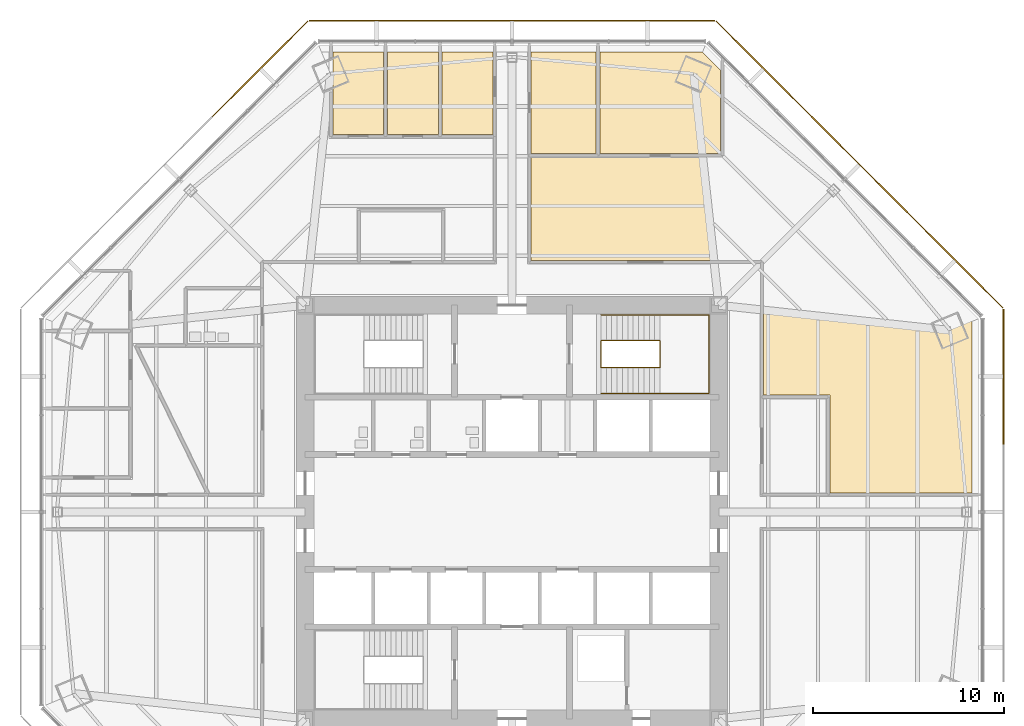
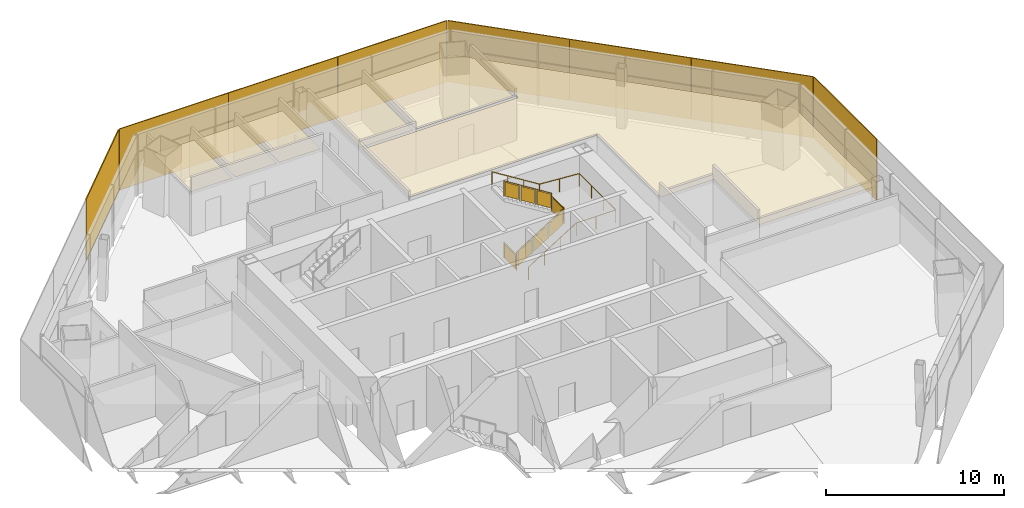
# One storey, part 13 of 14: 8 shading devices, 6 coverings, 2 railings.
"""IFC4 building model written with IfcOpenShell, lengths in metres."""

from ifc_helpers import new_model, si_unit, direction, frame, origin, origin_2d, place, context, subcontext, project, spatial, polyline, rectangle, circle, outline, extrude, source, transform, mapped, material, layer, layer_set, type_object, type_shapes, element, save


model = new_model("IFC4")

# Units and contexts
model_context = context("Model", 3, precision=1e-05, world=origin(), true_north=direction((0.0, 1.0)))
body_context = subcontext(model_context, "Body", "Model", "MODEL_VIEW")
ifc_project = project(units=[si_unit("LENGTHUNIT", "METRE"), si_unit("AREAUNIT", "SQUARE_METRE"), si_unit("VOLUMEUNIT", "CUBIC_METRE"), si_unit("PLANEANGLEUNIT", "RADIAN"), si_unit("MASSUNIT", "GRAM", prefix="KILO")], contexts=[model_context])

# Site, building, storey
site_placement = place(None, origin())
site = spatial("IfcSite", under=ifc_project, at=site_placement, CompositionType="ELEMENT")
building_placement = place(site_placement, origin())
building = spatial("IfcBuilding", under=site, at=building_placement, Name="Mashrafa Tower", CompositionType="ELEMENT")
storey_placement = place(building_placement, frame((0.0, 0.0, 121.800048828125)))
storey = spatial("IfcBuildingStorey", under=building, at=storey_placement, Name="L27", CompositionType="ELEMENT", Elevation=121.800048828125)

# Railings
ifc_material_1 = material(Name="Steel guard with glass infill", Category="steel")
railing_type_1 = type_object("IfcRailingType", Name="Stair guard 1100", PredefinedType="GUARDRAIL", material=ifc_material_1)
railing_1_placement = place(storey_placement, frame((4.64990234375, 8.949951171875, 0.0)))
element("IfcRailing", 1, at=railing_1_placement, inside=storey, type_object=railing_type_1, Name="Stair S2 guard L27", PredefinedType="GUARDRAIL", context=body_context, shape_type="SweptSolid", body=[
    extrude(circle(Radius=0.02392578125, at=origin_2d()), frame((0.0, 0.0, 1.076171875), z_axis=(0.0, -1.0, 0.0), x_axis=(1.0, 0.0, 0.0)), (0.0, 0.0, 1.0), 1.39990234375),
    extrude(circle(Radius=0.02392578125, at=origin_2d()), frame((0.0, -1.39990234375, 1.076171875), z_axis=(0.0, 0.0, 1.0), x_axis=(1.0, 0.0, 0.0)), (0.0, 0.0, 1.0), 0.175048828125),
    extrude(circle(Radius=0.02392578125, at=origin_2d()), frame((0.0, -1.39990234375, 1.2509765625), z_axis=(0.848028513186, 0.0, 0.529950602248), x_axis=(0.0, 1.0, 0.0)), (0.0, 0.0, 1.0), 3.632080078125),
    extrude(circle(Radius=0.02392578125, at=origin_2d()), frame((3.080078125, -1.39990234375, 3.17578125), z_axis=(0.0, 1.0, 0.0), x_axis=(-1.0, 0.0, 0.0)), (0.0, 0.0, 1.0), 1.39990234375),
    extrude(circle(Radius=0.02392578125, at=origin_2d()), frame((3.080078125, 0.0, 3.17578125), z_axis=(0.0, 0.0, 1.0), x_axis=(1.0, 0.0, 0.0)), (0.0, 0.0, 1.0), 0.175048828125),
    extrude(circle(Radius=0.02392578125, at=origin_2d()), frame((3.080078125, 0.0, 3.35107421875), z_axis=(-0.847998304005, 0.0, 0.529998940003), x_axis=(0.0, -1.0, 0.0)), (0.0, 0.0, 1.0), 3.632080078125),
    extrude(circle(Radius=0.02099609375, at=origin_2d()), origin(), (0.0, 0.0, 1.0), 1.052001953125),
    extrude(circle(Radius=0.02099609375, at=origin_2d()), frame((0.0, -1.39990234375, 0.0)), (0.0, 0.0, 1.0), 1.052001953125),
    extrude(circle(Radius=0.02099609375, at=origin_2d()), frame((0.0, -1.39990234375, 0.175048828125)), (0.0, 0.0, 1.0), 1.052001953125),
    extrude(circle(Radius=0.02099609375, at=origin_2d()), frame((1.026611328125, -1.39990234375, 0.816650390625)), (0.0, 0.0, 1.0), 1.052001953125),
    extrude(circle(Radius=0.02099609375, at=origin_2d()), frame((2.053466796875, -1.39990234375, 1.458251953125)), (0.0, 0.0, 1.0), 1.052001953125),
    extrude(circle(Radius=0.02099609375, at=origin_2d()), frame((3.080078125, -1.39990234375, 2.099853515625)), (0.0, 0.0, 1.0), 1.052001953125),
    extrude(circle(Radius=0.02099609375, at=origin_2d()), frame((3.080078125, 0.0, 2.099853515625)), (0.0, 0.0, 1.0), 1.052001953125),
    extrude(circle(Radius=0.02099609375, at=origin_2d()), frame((3.080078125, 0.0, 2.27490234375)), (0.0, 0.0, 1.0), 1.052001953125),
    extrude(circle(Radius=0.02099609375, at=origin_2d()), frame((2.053466796875, 0.0, 2.91650390625)), (0.0, 0.0, 1.0), 1.052001953125),
    extrude(circle(Radius=0.02099609375, at=origin_2d()), frame((1.026611328125, 0.0, 3.558349609375)), (0.0, 0.0, 1.0), 1.052001953125),
    extrude(circle(Radius=0.02099609375, at=origin_2d()), frame((0.0, 0.0, 4.199951171875)), (0.0, 0.0, 1.0), 1.052001953125),
    extrude(outline(polyline([(0.071044921875, 0.050048828125), (1.328857421875, 0.050048828125), (1.328857421875, 1.001953125), (0.071044921875, 1.001953125), (0.071044921875, 0.050048828125)])), frame((-0.006103515625, 0.0, 0.0), z_axis=(-1.0, 0.0, 0.0), x_axis=(0.0, -1.0, 0.0)), (0.0, 0.0, 1.0), 0.011962890625),
    extrude(outline(polyline([(0.071044921875, 0.094482421875), (0.955810546875, 0.647216796875), (0.955810546875, 1.59912109375), (0.071044921875, 1.04638671875), (0.071044921875, 0.094482421875)])), frame((0.0, -1.406005859375, 0.175048828125), z_axis=(0.0, -1.0, 0.0), x_axis=(1.0, 0.0, 0.0)), (0.0, 0.0, 1.0), 0.011962890625),
    extrude(outline(polyline([(1.09765625, 0.736083984375), (1.982421875, 1.288818359375), (1.982421875, 2.24072265625), (1.09765625, 1.68798828125), (1.09765625, 0.736083984375)])), frame((0.0, -1.406005859375, 0.175048828125), z_axis=(0.0, -1.0, 0.0), x_axis=(1.0, 0.0, 0.0)), (0.0, 0.0, 1.0), 0.011962890625),
    extrude(outline(polyline([(2.124267578125, 1.377685546875), (3.009033203125, 1.930419921875), (3.009033203125, 2.88232421875), (2.124267578125, 2.32958984375), (2.124267578125, 1.377685546875)])), frame((0.0, -1.406005859375, 0.175048828125), z_axis=(0.0, -1.0, 0.0), x_axis=(1.0, 0.0, 0.0)), (0.0, 0.0, 1.0), 0.011962890625),
    extrude(outline(polyline([(0.071044921875, 0.050048828125), (1.328857421875, 0.050048828125), (1.328857421875, 1.001953125), (0.071044921875, 1.001953125), (0.071044921875, 0.050048828125)])), frame((3.086181640625, -1.39990234375, 2.099853515625), z_axis=(1.0, 0.0, 0.0), x_axis=(0.0, 1.0, 0.0)), (0.0, 0.0, 1.0), 0.011962890625),
    extrude(outline(polyline([(0.071044921875, 0.094482421875), (0.955810546875, 0.647216796875), (0.955810546875, 1.599365234375), (0.071044921875, 1.04638671875), (0.071044921875, 0.094482421875)])), frame((3.080078125, 0.006103515625, 2.27490234375), z_axis=(0.0, 1.0, 0.0), x_axis=(-1.0, 0.0, 0.0)), (0.0, 0.0, 1.0), 0.011962890625),
    extrude(outline(polyline([(1.09765625, 0.736083984375), (1.982421875, 1.2890625), (1.982421875, 2.240966796875), (1.09765625, 1.68798828125), (1.09765625, 0.736083984375)])), frame((3.080078125, 0.006103515625, 2.27490234375), z_axis=(0.0, 1.0, 0.0), x_axis=(-1.0, 0.0, 0.0)), (0.0, 0.0, 1.0), 0.011962890625),
    extrude(outline(polyline([(2.124267578125, 1.377685546875), (3.009033203125, 1.9306640625), (3.009033203125, 2.882568359375), (2.124267578125, 2.329833984375), (2.124267578125, 1.377685546875)])), frame((3.080078125, 0.006103515625, 2.27490234375), z_axis=(0.0, 1.0, 0.0), x_axis=(-1.0, 0.0, 0.0)), (0.0, 0.0, 1.0), 0.011962890625),
])
ifc_material_2 = material(Name="Steel", Category="steel")
railing_type_2 = type_object("IfcRailingType", Name="Stair handrail 900", PredefinedType="HANDRAIL", material=ifc_material_2)
railing_2_placement = place(storey_placement, frame((4.64990234375, 6.199951171875, 0.175048828125)))
element("IfcRailing", 2, at=railing_2_placement, inside=storey, type_object=railing_type_2, Name="Stair S2 handrail L27", PredefinedType="HANDRAIL", context=body_context, shape_type="SweptSolid", body=[
    extrude(circle(Radius=0.02392578125, at=origin_2d()), frame((0.0, 0.0, 0.8759765625), z_axis=(0.848028513186, 0.0, 0.529950602248), x_axis=(0.0, 1.0, 0.0)), (0.0, 0.0, 1.0), 3.632080078125),
    extrude(circle(Radius=0.02392578125, at=origin_2d()), frame((3.080078125, 0.0, 2.80078125), z_axis=(1.0, 0.0, 0.0), x_axis=(0.0, 1.0, 0.0)), (0.0, 0.0, 1.0), 2.570068359375),
    extrude(circle(Radius=0.02392578125, at=origin_2d()), frame((5.650146484375, 0.0, 2.80078125), z_axis=(0.0, 1.0, 0.0), x_axis=(-1.0, 0.0, 0.0)), (0.0, 0.0, 1.0), 4.10009765625),
    extrude(circle(Radius=0.02392578125, at=origin_2d()), frame((5.650146484375, 4.10009765625, 2.80078125), z_axis=(-0.997688514158, 0.0, 0.067953136188), x_axis=(0.0, -1.0, 0.0)), (0.0, 0.0, 1.0), 2.575927734375),
    extrude(circle(Radius=0.02392578125, at=origin_2d()), frame((3.080078125, 4.10009765625, 2.9755859375), z_axis=(-0.847998304005, 0.0, 0.529998940003), x_axis=(0.0, -1.0, 0.0)), (0.0, 0.0, 1.0), 3.632080078125),
    extrude(circle(Radius=0.02099609375, at=origin_2d()), origin(), (0.0, 0.0, 1.0), 0.851806640625),
    extrude(circle(Radius=0.02099609375, at=origin_2d()), frame((1.026611328125, 0.0, 0.6416015625)), (0.0, 0.0, 1.0), 0.851806640625),
    extrude(circle(Radius=0.02099609375, at=origin_2d()), frame((2.053466796875, 0.0, 1.283203125)), (0.0, 0.0, 1.0), 0.851806640625),
    extrude(circle(Radius=0.02099609375, at=origin_2d()), frame((3.080078125, 0.0, 1.9248046875)), (0.0, 0.0, 1.0), 0.851806640625),
    extrude(circle(Radius=0.02099609375, at=origin_2d()), frame((4.365234375, 0.0, 1.9248046875)), (0.0, 0.0, 1.0), 0.851806640625),
    extrude(circle(Radius=0.02099609375, at=origin_2d()), frame((5.650146484375, 0.0, 1.9248046875)), (0.0, 0.0, 1.0), 0.851806640625),
    extrude(circle(Radius=0.02099609375, at=origin_2d()), frame((5.650146484375, 1.36669921875, 1.9248046875)), (0.0, 0.0, 1.0), 0.851806640625),
    extrude(circle(Radius=0.02099609375, at=origin_2d()), frame((5.650146484375, 2.7333984375, 1.9248046875)), (0.0, 0.0, 1.0), 0.851806640625),
    extrude(circle(Radius=0.02099609375, at=origin_2d()), frame((5.650146484375, 4.10009765625, 1.9248046875)), (0.0, 0.0, 1.0), 0.851806640625),
    extrude(circle(Radius=0.02099609375, at=origin_2d()), frame((4.365234375, 4.10009765625, 2.01220703125)), (0.0, 0.0, 1.0), 0.851806640625),
    extrude(circle(Radius=0.02099609375, at=origin_2d()), frame((3.080078125, 4.10009765625, 2.099853515625)), (0.0, 0.0, 1.0), 0.851806640625),
    extrude(circle(Radius=0.02099609375, at=origin_2d()), frame((2.053466796875, 4.10009765625, 2.741455078125)), (0.0, 0.0, 1.0), 0.851806640625),
    extrude(circle(Radius=0.02099609375, at=origin_2d()), frame((1.026611328125, 4.10009765625, 3.38330078125)), (0.0, 0.0, 1.0), 0.851806640625),
    extrude(circle(Radius=0.02099609375, at=origin_2d()), frame((0.0, 4.10009765625, 4.02490234375)), (0.0, 0.0, 1.0), 0.851806640625),
])

# Coverings
ifc_material_3 = material(Name="Mineral fibre tile on suspension grid")
ifc_layer_1 = layer(ifc_material_3, 0.014892578125)
ifc_layer_set_1 = layer_set([ifc_layer_1], Name="Suspended ceiling mineral tile 15")
covering_type = type_object("IfcCoveringType", Name="Suspended ceiling mineral tile 15", PredefinedType="CEILING", material=ifc_layer_set_1)
covering_1_placement = place(storey_placement, frame((0.0, 0.0, 2.89990234375)))
element("IfcCovering", 3, at=covering_1_placement, inside=storey, type_object=covering_type, Name="Ceiling Director General's Office 27-NE", PredefinedType="CEILING", context=body_context, shape_type="SweptSolid", body=[
    extrude(outline(polyline([(4.60009765625, 24.019287109375), (9.94921875, 24.019287109375), (10.89990234375, 23.068115234375), (10.89990234375, 18.71923828125), (4.60009765625, 18.71923828125), (4.60009765625, 24.019287109375)])), origin(), (0.0, 0.0, 1.0), 0.01513671875),
])
covering_2_placement = place(storey_placement, frame((0.0, 0.0, 2.89990234375)))
element("IfcCovering", 4, at=covering_2_placement, inside=storey, type_object=covering_type, Name="Ceiling Secretary's Office 27", PredefinedType="CEILING", context=body_context, shape_type="SweptSolid", body=[
    extrude(outline(polyline([(1.0, 24.019287109375), (4.39990234375, 24.019287109375), (4.39990234375, 18.71923828125), (1.0, 18.71923828125), (1.0, 24.019287109375)])), origin(), (0.0, 0.0, 1.0), 0.01513671875),
])
covering_3_placement = place(storey_placement, frame((0.0, 0.0, 2.89990234375)))
element("IfcCovering", 5, at=covering_3_placement, inside=storey, type_object=covering_type, Name="Ceiling Meeting Room 27-1", PredefinedType="CEILING", context=body_context, shape_type="SweptSolid", body=[
    extrude(outline(polyline([(-3.652099609375, 24.019287109375), (-1.0, 24.019287109375), (-1.0, 19.71923828125), (-3.652099609375, 19.71923828125), (-3.652099609375, 24.019287109375)])), origin(), (0.0, 0.0, 1.0), 0.01513671875),
])
covering_4_placement = place(storey_placement, frame((0.0, 0.0, 2.89990234375)))
element("IfcCovering", 6, at=covering_4_placement, inside=storey, type_object=covering_type, Name="Ceiling Meeting Room 27-NW-1", PredefinedType="CEILING", context=body_context, shape_type="SweptSolid", body=[
    extrude(outline(polyline([(-6.5048828125, 24.019287109375), (-3.85205078125, 24.019287109375), (-3.85205078125, 19.71923828125), (-6.5048828125, 19.71923828125), (-6.5048828125, 24.019287109375)])), origin(), (0.0, 0.0, 1.0), 0.01513671875),
])
covering_5_placement = place(storey_placement, frame((0.0, 0.0, 2.89990234375)))
element("IfcCovering", 7, at=covering_5_placement, inside=storey, type_object=covering_type, Name="Ceiling Meeting Room 27-NW-2", PredefinedType="CEILING", context=body_context, shape_type="SweptSolid", body=[
    extrude(outline(polyline([(-9.35693359375, 24.019287109375), (-6.705078125, 24.019287109375), (-6.705078125, 19.71923828125), (-9.35693359375, 19.71923828125), (-9.35693359375, 24.019287109375)])), origin(), (0.0, 0.0, 1.0), 0.01513671875),
])
covering_6_placement = place(storey_placement, frame((0.0, 0.0, 2.89990234375)))
element("IfcCovering", 8, at=covering_6_placement, inside=storey, type_object=covering_type, Name="Ceiling Agency Services Office 27-NE", PredefinedType="CEILING", context=body_context, shape_type="SweptSolid", body=[
    extrude(outline(polyline([(11.10009765625, 22.8681640625), (24.019287109375, 9.94921875), (24.019287109375, 1.0), (16.60009765625, 1.0), (16.60009765625, 6.10009765625), (13.14990234375, 6.10009765625), (13.14990234375, 13.14990234375), (1.0, 13.14990234375), (1.0, 18.519287109375), (11.10009765625, 18.519287109375), (11.10009765625, 22.8681640625)])), origin(), (0.0, 0.0, 1.0), 0.01513671875),
])

# Shading devices
ifc_material_4 = material(Name="Perforated aluminium plate, eight-point star pattern", Category="aluminium")
ifc_layer_2 = layer(ifc_material_4, 0.06005859375)
ifc_layer_set_2 = layer_set([ifc_layer_2], Name="Mashrabiya screen panel office zone 2, 40 percent open")
shading_device_type = type_object("IfcShadingDeviceType", Name="Mashrabiya screen panel office zone 2, 40 percent open", PredefinedType="SHUTTER", material=ifc_layer_set_2)
shared_shape = source(origin(), body_context, "Body", "SweptSolid", [
    extrude(rectangle(XDim=7.053466796875, YDim=0.06005859375, at=origin_2d()), origin(), (0.0, 0.0, 1.0), 4.179931640625),
])
type_shapes(shading_device_type, [shared_shape])
for number, where, z_axis, x_axis, name in (
    (9, (25.669189453125, 7.073486328125, -0.14990234375), (0.0, 0.0, 1.0), (0.0, 1.0, 0.0), "Mashrabiya screen L27 east 3"),
    (10, (23.152587890625, 13.149169921875, -0.14990234375), (0.0, 0.0, 1.0), (-0.707106781187, 0.707106781187, 0.0), "Mashrabiya screen L27 north-east 1"),
    (11, (18.15087890625, 18.15087890625, -0.14990234375), (0.0, 0.0, 1.0), (-0.707106781187, 0.707106781187, 0.0), "Mashrabiya screen L27 north-east 2"),
    (12, (13.149169921875, 23.152587890625, -0.14990234375), (0.0, 0.0, 1.0), (-0.707106781187, 0.707106781187, 0.0), "Mashrabiya screen L27 north-east 3"),
    (13, (7.073486328125, 25.669189453125, -0.14990234375), (0.0, 0.0, 1.0), (-1.0, 0.0, 0.0), "Mashrabiya screen L27 north 1"),
    (14, (0.0, 25.669189453125, -0.14990234375), (0.0, 0.0, 1.0), (-1.0, 0.0, 0.0), "Mashrabiya screen L27 north 2"),
    (15, (-7.073486328125, 25.669189453125, -0.14990234375), (0.0, 0.0, 1.0), (-1.0, 0.0, 0.0), "Mashrabiya screen L27 north 3"),
    (16, (-13.149169921875, 23.152587890625, -0.14990234375), (0.0, 0.0, 1.0), (-0.707106781187, -0.707106781187, 0.0), "Mashrabiya screen L27 north-west 1"),
):
    element("IfcShadingDevice", number, at=place(storey_placement, frame(where, z_axis=z_axis, x_axis=x_axis)), inside=storey, type_object=shading_device_type, Name=name, PredefinedType="SHUTTER", context=body_context, shape_type="MappedRepresentation", body=[
        mapped(shared_shape, transform((0.0, 0.0, 0.0))),
    ])

save(model, "model.ifc")
